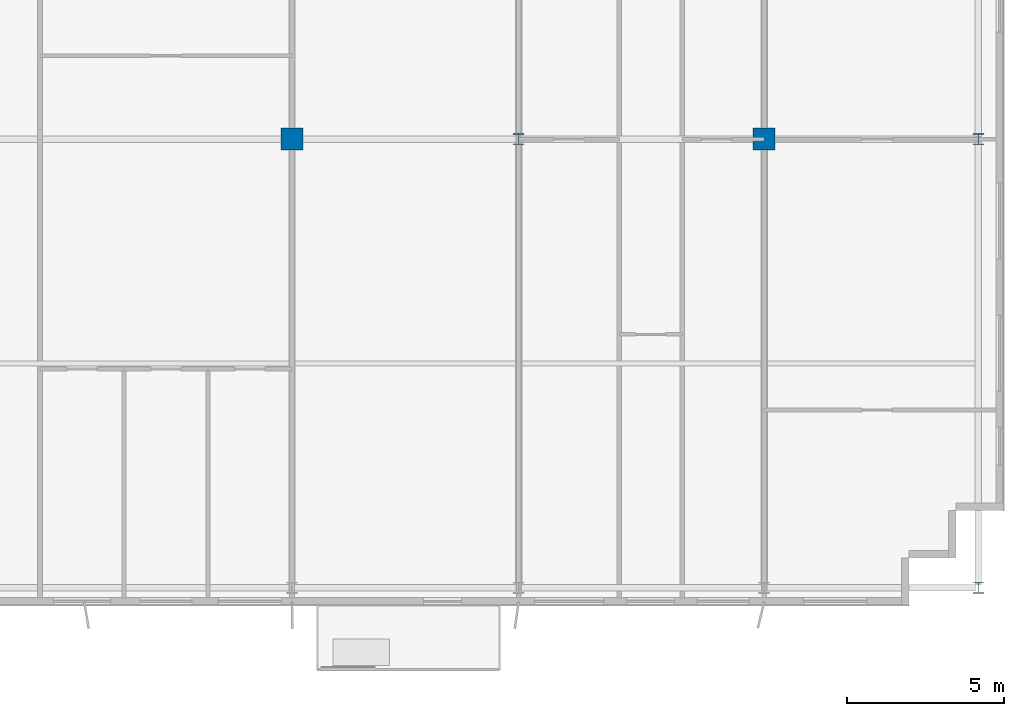
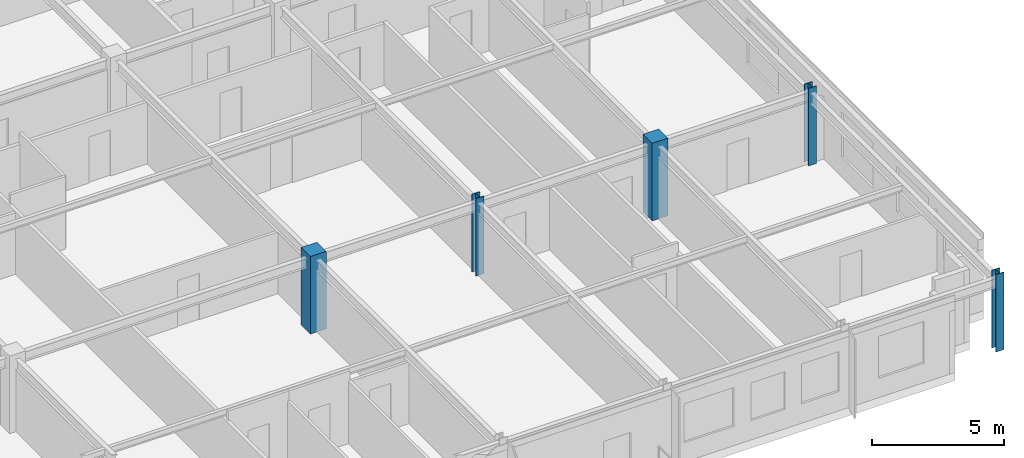
# One storey, part 2 of 23: 5 columns.
"""IFC4 building model written with IfcOpenShell, lengths in metres."""

from ifc_helpers import new_model, si_unit, direction, frame, origin, origin_2d, place, context, subcontext, project, spatial, rectangle, i_section, extrude, source, transform, mapped, material, material_profile, profile_set, type_object, element, save


model = new_model("IFC4")

# Units and contexts
model_context = context("Model", 3, precision=1e-05, world=origin(), true_north=direction((0.0, 1.0)))
body_context = subcontext(model_context, "Body", "Model", "MODEL_VIEW")
ifc_project = project(units=[si_unit("LENGTHUNIT", "METRE"), si_unit("AREAUNIT", "SQUARE_METRE"), si_unit("VOLUMEUNIT", "CUBIC_METRE"), si_unit("PLANEANGLEUNIT", "RADIAN"), si_unit("MASSUNIT", "GRAM", prefix="KILO")], contexts=[model_context])

# Site, building, storey
site_placement = place(None, origin())
site = spatial("IfcSite", under=ifc_project, at=site_placement, CompositionType="ELEMENT")
building_placement = place(site_placement, origin())
building = spatial("IfcBuilding", under=site, at=building_placement, Name="Trelvane Seafront Commons", CompositionType="ELEMENT")
storey_placement = place(building_placement, frame((0.0, 0.0, 204.89990234375)))
storey = spatial("IfcBuildingStorey", under=building, at=storey_placement, Name="L53", CompositionType="ELEMENT", Elevation=204.89990234375)

# Columns
ifc_material_1 = material(Name="Concrete C50/60", Category="concrete")
ifc_material_profile_1 = material_profile(ifc_material_1, rectangle(XDim=0.699951171875, YDim=0.699951171875, at=origin_2d()), Name="RC-700x700")
ifc_profile_set_1 = profile_set([ifc_material_profile_1], Name="Concrete C50/60")
column_type_1 = type_object("IfcColumnType", Name="STR-COL-RC700", PredefinedType="COLUMN", material=ifc_profile_set_1)
shared_shape_1 = source(origin(), body_context, "Body", "SweptSolid", [
    extrude(rectangle(XDim=0.699951171875, YDim=0.699951171875, at=origin_2d()), origin(), (0.0, 0.0, 1.0), 3.60009765625),
])
for number, where, z_axis, x_axis, name in (
    (1, (43.800048828125, 18.199951171875, 0.0), (0.0, 0.0, 1.0), (1.0, 0.0, 0.0), "L53 Column TC-M43.8"),
    (2, (58.800048828125, 18.199951171875, 0.0), (0.0, 0.0, 1.0), (1.0, 0.0, 0.0), "L53 Column TC-M58.8"),
):
    element("IfcColumn", number, at=place(storey_placement, frame(where, z_axis=z_axis, x_axis=x_axis)), inside=storey, type_object=column_type_1, Name=name, PredefinedType="COLUMN", context=body_context, shape_type="MappedRepresentation", body=[
        mapped(shared_shape_1, transform((0.0, 0.0, 0.0), x_axis=(1.0, 0.0, 0.0), y_axis=(0.0, 1.0, 0.0), z_axis=(0.0, 0.0, 1.0), scale=1.0)),
    ])
ifc_material_2 = material(Name="Steel SM355 (S355)", Category="steel")
ifc_material_profile_2 = material_profile(ifc_material_2, i_section(OverallWidth=0.35009765625, OverallDepth=0.35009765625, WebThickness=0.01806640625, FlangeThickness=0.028076171875, at=origin_2d()), Name="HD-350x350x18x28")
ifc_profile_set_2 = profile_set([ifc_material_profile_2], Name="Steel SM355 (S355)")
column_type_2 = type_object("IfcColumnType", Name="STR-COL-HD350", PredefinedType="COLUMN", material=ifc_profile_set_2)
shared_shape_2 = source(origin(), body_context, "Body", "SweptSolid", [
    extrude(i_section(OverallWidth=0.35009765625, OverallDepth=0.35009765625, WebThickness=0.01806640625, FlangeThickness=0.028076171875, at=origin_2d()), origin(), (0.0, 0.0, 1.0), 3.60009765625),
])
for number, where, z_axis, x_axis, name in (
    (3, (51.0, 18.199951171875, 0.0), (0.0, 0.0, 1.0), (1.0, 0.0, 0.0), "L53 Column TC-M51.0"),
    (4, (65.60009765625, 3.949951171875, 0.0), (0.0, 0.0, 1.0), (1.0, 0.0, 0.0), "L53 Column TC-S65.6"),
    (5, (65.60009765625, 18.199951171875, 0.0), (0.0, 0.0, 1.0), (1.0, 0.0, 0.0), "L53 Column TC-M65.6"),
):
    element("IfcColumn", number, at=place(storey_placement, frame(where, z_axis=z_axis, x_axis=x_axis)), inside=storey, type_object=column_type_2, Name=name, PredefinedType="COLUMN", context=body_context, shape_type="MappedRepresentation", body=[
        mapped(shared_shape_2, transform((0.0, 0.0, 0.0), x_axis=(1.0, 0.0, 0.0), y_axis=(0.0, 1.0, 0.0), z_axis=(0.0, 0.0, 1.0), scale=1.0)),
    ])

save(model, "model.ifc")
